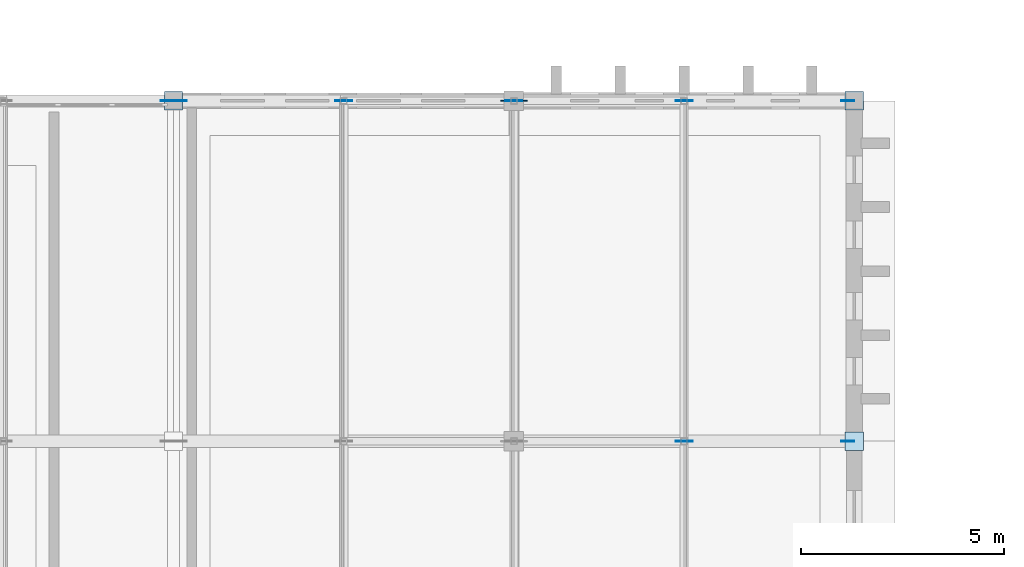
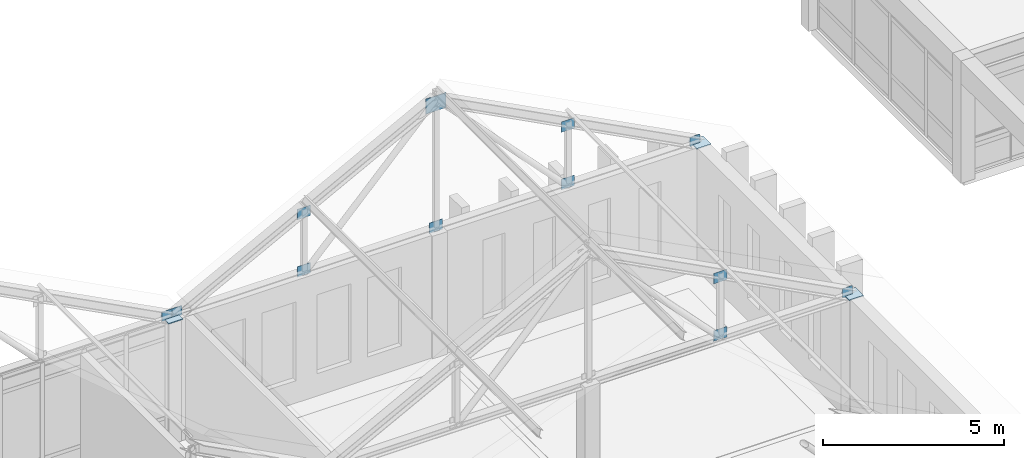
# One storey, part 153 of 192: 15 plates.
"""IFC4 building model written with IfcOpenShell, lengths in metres."""

from ifc_helpers import new_model, si_unit, direction, frame, origin, origin_2d, place, context, subcontext, project, spatial, rectangle, extrude, material, layer, layer_set, type_object, element, save


model = new_model("IFC4")

# Units and contexts
model_context = context("Model", 3, precision=1e-05, world=origin(), true_north=direction((0.0, 1.0)))
body_context = subcontext(model_context, "Body", "Model", "MODEL_VIEW")
ifc_project = project(units=[si_unit("LENGTHUNIT", "METRE"), si_unit("AREAUNIT", "SQUARE_METRE"), si_unit("VOLUMEUNIT", "CUBIC_METRE"), si_unit("PLANEANGLEUNIT", "RADIAN"), si_unit("MASSUNIT", "GRAM", prefix="KILO")], contexts=[model_context])

# Site, building, storey
site_placement = place(None, origin())
site = spatial("IfcSite", under=ifc_project, at=site_placement, CompositionType="ELEMENT")
building_placement = place(site_placement, origin())
building = spatial("IfcBuilding", under=site, at=building_placement, Name="Kveldsbrygga Polytechnic", CompositionType="ELEMENT")
storey_placement = place(building_placement, frame((0.0, 0.0, 5.43994140625)))
storey = spatial("IfcBuildingStorey", under=building, at=storey_placement, Name="L01", CompositionType="ELEMENT", Elevation=5.43994140625)

# Plates
ifc_material = material(Name="Steel S355", Category="steel")
ifc_layer_1 = layer(ifc_material, 0.030029296875)
ifc_layer_set_1 = layer_set([ifc_layer_1], Name="Steel S355")
plate_type_1 = type_object("IfcPlateType", Name="CAP-BEAR-450", PredefinedType="SHEET", material=ifc_layer_set_1)
for number, where, z_axis, x_axis, name in (
    (1, (16.800048828125, 109.199951171875, 4.08984375), (0.0, 0.0, 1.0), (1.0, 0.0, 0.0), "Truss Bearing Plate V1N1-T04-B"),
    (2, (33.60009765625, 100.800048828125, 4.08984375), (0.0, 0.0, 1.0), (1.0, 0.0, 0.0), "Truss Bearing Plate V1N2-T03-B"),
    (3, (33.60009765625, 109.199951171875, 4.08984375), (0.0, 0.0, 1.0), (1.0, 0.0, 0.0), "Truss Bearing Plate V1N2-T04-B"),
):
    element("IfcPlate", number, at=place(storey_placement, frame(where, z_axis=z_axis, x_axis=x_axis)), inside=storey, type_object=plate_type_1, Name=name, PredefinedType="SHEET", context=body_context, shape_type="SweptSolid", body=[
        extrude(rectangle(XDim=0.449951171875, YDim=0.449951171875, at=origin_2d()), origin(), (0.0, 0.0, 1.0), 0.030029296875),
    ])
ifc_layer_2 = layer(ifc_material, 0.02490234375)
ifc_layer_set_2 = layer_set([ifc_layer_2], Name="Steel S355")
plate_type_2 = type_object("IfcPlateType", Name="GUS-APEX-650", PredefinedType="SHEET", material=ifc_layer_set_2)
plate_placement = place(storey_placement, frame((25.199951171875, 109.199951171875, 8.1201171875), z_axis=(0.0, 0.0, 1.0), x_axis=(1.0, 0.0, 0.0)))
element("IfcPlate", 4, at=plate_placement, inside=storey, type_object=plate_type_2, Name="Truss Gusset Plate V1N2-T04-GP-2", PredefinedType="SHEET", context=body_context, shape_type="SweptSolid", body=[
    extrude(rectangle(XDim=0.64990234375, YDim=0.02490234375, at=origin_2d()), origin(), (0.0, 0.0, 1.0), 0.5),
])
ifc_layer_3 = layer(ifc_material, 0.01806640625)
ifc_layer_set_3 = layer_set([ifc_layer_3], Name="Steel S355")
plate_type_3 = type_object("IfcPlateType", Name="GUS-BRACE-320", PredefinedType="SHEET", material=ifc_layer_set_3)
for number, where, z_axis, x_axis, name in (
    (5, (16.639892578125, 109.199951171875, 4.080078125), (0.0, 0.0, 1.0), (1.0, 0.0, 0.0), "Truss Eaves Node Gusset V1N1-T04-EGP-B"),
    (6, (33.43994140625, 100.800048828125, 4.080078125), (0.0, 0.0, 1.0), (1.0, 0.0, 0.0), "Truss Eaves Node Gusset V1N2-T03-EGP-B"),
    (7, (16.9599609375, 109.199951171875, 4.080078125), (0.0, 0.0, 1.0), (1.0, 0.0, 0.0), "Truss Eaves Node Gusset V1N2-T04-EGP-A"),
    (8, (33.43994140625, 109.199951171875, 4.080078125), (0.0, 0.0, 1.0), (1.0, 0.0, 0.0), "Truss Eaves Node Gusset V1N2-T04-EGP-B"),
):
    element("IfcPlate", number, at=place(storey_placement, frame(where, z_axis=z_axis, x_axis=x_axis)), inside=storey, type_object=plate_type_3, Name=name, PredefinedType="SHEET", context=body_context, shape_type="SweptSolid", body=[
        extrude(rectangle(XDim=0.320068359375, YDim=0.01806640625, at=origin_2d()), origin(), (0.0, 0.0, 1.0), 0.320068359375),
    ])
ifc_layer_4 = layer(ifc_material, 0.02001953125)
ifc_layer_set_4 = layer_set([ifc_layer_4], Name="Steel S355")
plate_type_4 = type_object("IfcPlateType", Name="GUS-LECT-420", PredefinedType="SHEET", material=ifc_layer_set_4)
for number, where, z_axis, x_axis, name in (
    (9, (29.39990234375, 100.800048828125, 5.9951171875), (0.0, 0.0, 1.0), (1.0, 0.0, 0.0), "Truss Gusset Plate V1N2-T03-GP-3"),
    (10, (29.39990234375, 100.800048828125, 4.06494140625), (0.0, 0.0, 1.0), (1.0, 0.0, 0.0), "Truss Bottom-Chord Node Gusset V1N2-T03-BGP-3"),
    (11, (21.0, 109.199951171875, 5.9951171875), (0.0, 0.0, 1.0), (1.0, 0.0, 0.0), "Truss Gusset Plate V1N2-T04-GP-1"),
    (12, (21.0, 109.199951171875, 4.06494140625), (0.0, 0.0, 1.0), (1.0, 0.0, 0.0), "Truss Bottom-Chord Node Gusset V1N2-T04-BGP-1"),
    (13, (25.199951171875, 109.199951171875, 4.06494140625), (0.0, 0.0, 1.0), (1.0, 0.0, 0.0), "Truss Bottom-Chord Node Gusset V1N2-T04-BGP-2"),
    (14, (29.39990234375, 109.199951171875, 5.9951171875), (0.0, 0.0, 1.0), (1.0, 0.0, 0.0), "Truss Gusset Plate V1N2-T04-GP-3"),
    (15, (29.39990234375, 109.199951171875, 4.06494140625), (0.0, 0.0, 1.0), (1.0, 0.0, 0.0), "Truss Bottom-Chord Node Gusset V1N2-T04-BGP-3"),
):
    element("IfcPlate", number, at=place(storey_placement, frame(where, z_axis=z_axis, x_axis=x_axis)), inside=storey, type_object=plate_type_4, Name=name, PredefinedType="SHEET", context=body_context, shape_type="SweptSolid", body=[
        extrude(rectangle(XDim=0.419921875, YDim=0.02001953125, at=origin_2d()), origin(), (0.0, 0.0, 1.0), 0.35009765625),
    ])

save(model, "model.ifc")
